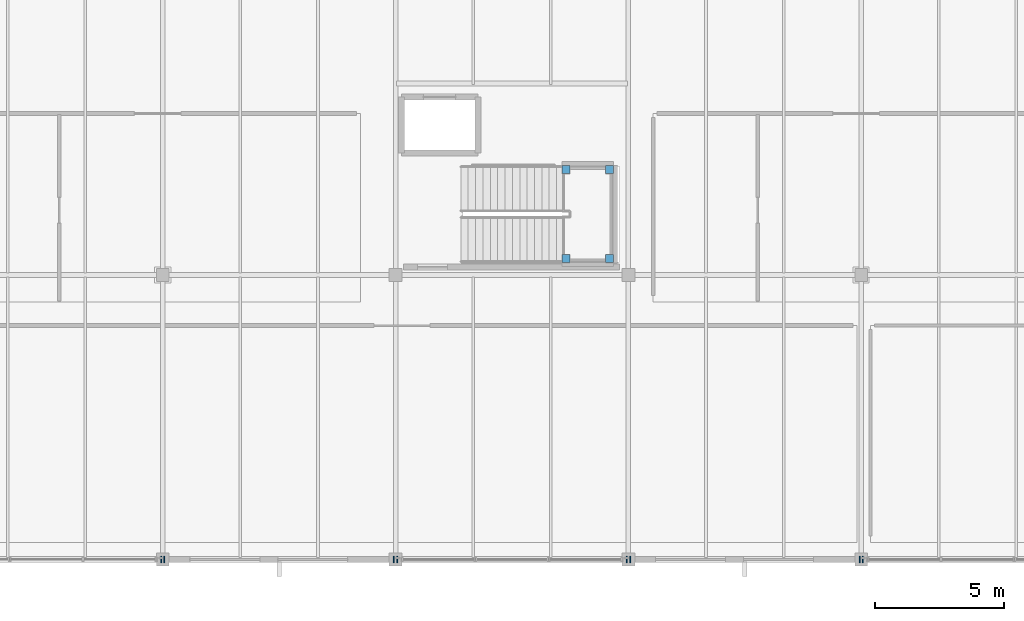
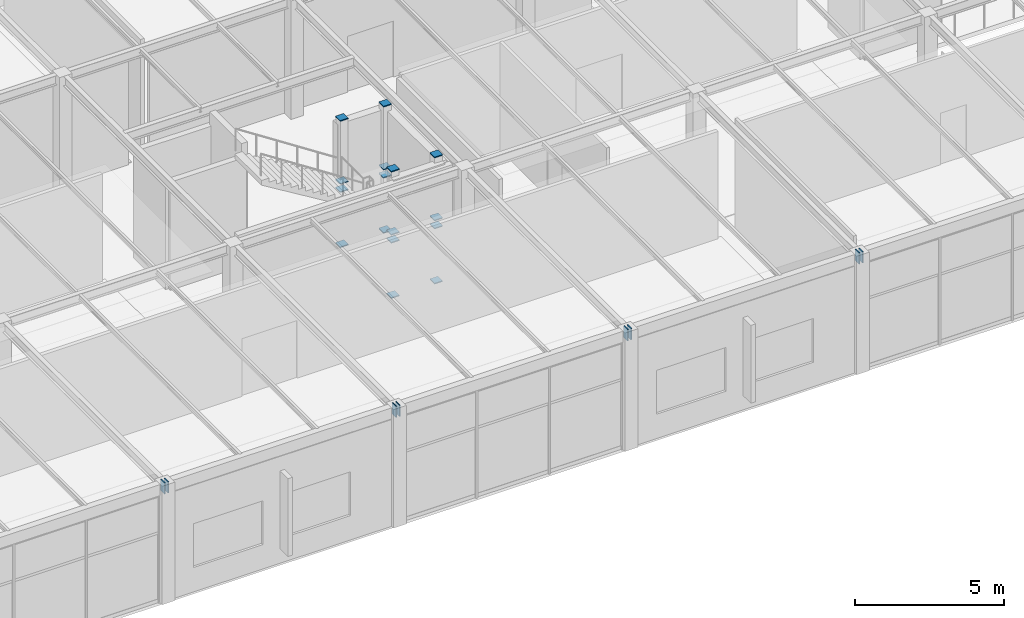
# One storey, part 144 of 195: 24 discrete accessories.
"""IFC4 building model written with IfcOpenShell, lengths in metres."""

import ifcopenshell
import ifcopenshell.guid

model = None  # the IFC model being written
_history = None  # IfcOwnerHistory: only IFC2X3 demands one
_inside = {}  # id of a spatial element -> (the spatial element, [elements in it])
_under = {}  # id of a project, library or spatial element -> (it, [spatial elements below it])
_declared = {}  # id of a project -> (the project, [libraries it declares])
_typed = {}  # id of a type object -> (the type object, [elements of that type])
_made_of = {}  # id of a material, layer set ... -> (it, [elements and type objects made of it])


def new_model(schema):
    """Start an empty IFC model of exactly this schema.

    Asked for "IFC4X3", IfcOpenShell would pick the latest addendum, in which some entities
    have other attributes; the version numbers below select the first issue.
    IFC2X3 requires an IfcOwnerHistory on every rooted entity: one is made here for all.
    """
    global model, _history
    if schema == "IFC4X3":
        model = ifcopenshell.file(schema_version=(4, 3, 0, 0))
    else:
        model = ifcopenshell.file(schema=schema)
    _inside.clear()
    _under.clear()
    _declared.clear()
    _typed.clear()
    _made_of.clear()
    _history = None
    if model.schema == "IFC2X3":
        org = make("IfcOrganization", Name="unknown")
        user = make(
            "IfcPersonAndOrganization",
            ThePerson=make("IfcPerson", FamilyName="unknown"),
            TheOrganization=org,
        )
        app = make(
            "IfcApplication",
            ApplicationDeveloper=org,
            Version="unknown",
            ApplicationFullName="unknown",
            ApplicationIdentifier="unknown",
        )
        _history = make(
            "IfcOwnerHistory",
            OwningUser=user,
            OwningApplication=app,
            ChangeAction="ADDED",
            CreationDate=0,
        )
    return model


def make(cls, **values):
    """One entity of the class cls with the attributes given. An attribute that is None is left unset."""
    return model.create_entity(
        cls, **{name: value for name, value in values.items() if value is not None}
    )


def rooted(cls, **values):
    """An entity with a GlobalId (a new one), such as an element, a storey or a relation."""
    return make(cls, GlobalId=ifcopenshell.guid.new(), OwnerHistory=_history, **values)


def si_unit(unit_type, name, prefix=None):
    """IfcSIUnit, for example si_unit("LENGTHUNIT", "METRE", prefix="MILLI")."""
    return make("IfcSIUnit", UnitType=unit_type, Prefix=prefix, Name=name)


def assignment(units):
    """IfcUnitAssignment: the units of a project."""
    return None if units is None else make("IfcUnitAssignment", Units=units)


def point(xyz):
    """IfcCartesianPoint."""
    return None if xyz is None else make("IfcCartesianPoint", Coordinates=xyz)


def direction(xyz):
    """IfcDirection."""
    return None if xyz is None else make("IfcDirection", DirectionRatios=xyz)


def frame(location, z_axis=None, x_axis=None):
    """IfcAxis2Placement3D, a coordinate frame: its origin and axes. An axis left out is left unset."""
    return make(
        "IfcAxis2Placement3D",
        Location=point(location),
        Axis=direction(z_axis),
        RefDirection=direction(x_axis),
    )


def frame_2d(location, x_axis=None):
    """IfcAxis2Placement2D, a coordinate frame in the plane: its origin and x axis."""
    return make(
        "IfcAxis2Placement2D", Location=point(location), RefDirection=direction(x_axis)
    )


def origin():
    """The frame at (0, 0, 0) with its axes left unset."""
    return frame((0.0, 0.0, 0.0))


def origin_2d():
    """The frame at (0, 0) in the plane with its x axis left unset."""
    return frame_2d((0.0, 0.0))


def place(relative_to, where):
    """IfcLocalPlacement: puts the frame where relative to a parent placement (None: the world)."""
    return make(
        "IfcLocalPlacement", PlacementRelTo=relative_to, RelativePlacement=where
    )


def context(
    kind, dimensions, precision=None, world=None, true_north=None, identifier=None
):
    """IfcGeometricRepresentationContext, for example the 3D "Model" context."""
    return make(
        "IfcGeometricRepresentationContext",
        ContextIdentifier=identifier,
        ContextType=kind,
        CoordinateSpaceDimension=dimensions,
        Precision=precision,
        WorldCoordinateSystem=world,
        TrueNorth=true_north,
    )


def subcontext(parent, identifier, kind, view, scale=None):
    """IfcGeometricRepresentationSubContext, for example "Body" below "Model"."""
    return make(
        "IfcGeometricRepresentationSubContext",
        ContextIdentifier=identifier,
        ContextType=kind,
        ParentContext=parent,
        TargetScale=scale,
        TargetView=view,
    )


def project(units=None, contexts=None):
    """IfcProject with its units and contexts."""
    return rooted(
        "IfcProject",
        Name="project",
        RepresentationContexts=contexts,
        UnitsInContext=assignment(units),
    )


def spatial(cls, under=None, at=None, **own):
    """A site, building, storey or space (cls), placed at a placement, below another one or the project."""
    s = rooted(cls, ObjectPlacement=at, **own)
    if under is not None:
        _under.setdefault(under.id(), (under, []))[1].append(s)
    return s


def profile(cls, at=None, kind="AREA", **sizes):
    """A parametric profile (cls). Its sizes go by their IFC names, for example OverallWidth=200.0."""
    return make(cls, ProfileType=kind, Position=at, **sizes)


def rectangle(**sizes):
    """IfcRectangleProfileDef."""
    return profile("IfcRectangleProfileDef", **sizes)


def extrude(swept, where, along, depth):
    """IfcExtrudedAreaSolid: the profile swept, set in the frame where, extruded along a direction by depth."""
    return make(
        "IfcExtrudedAreaSolid",
        SweptArea=swept,
        Position=where,
        ExtrudedDirection=direction(along),
        Depth=depth,
    )


def shape(context_of_items, identifier, shape_type, items):
    """IfcShapeRepresentation: the items that make up one representation, for example the "Body"."""
    return make(
        "IfcShapeRepresentation",
        ContextOfItems=context_of_items,
        RepresentationIdentifier=identifier,
        RepresentationType=shape_type,
        Items=items,
    )


def material(Name=None, Category=None):
    """IfcMaterial."""
    return make("IfcMaterial", Name=Name, Category=Category)


def made_of(thing, what):
    """Note that an element or type object is made of a material, layer set ...; save() writes the relation."""
    if what is not None:
        _made_of.setdefault(what.id(), (what, []))[1].append(thing)
    return thing


def element(
    cls,
    number,
    at=None,
    inside=None,
    cuts=None,
    type_object=None,
    material=None,
    context=None,
    identifier="Body",
    shape_type=None,
    held_by="IfcProductDefinitionShape",
    body=None,
    shapes=None,
    **own,
):
    """One element of the class cls, such as IfcWall. Its Tag is "e" and its number.

    at: its placement. inside: the storey or other place that contains it. cuts: it is an
    opening in that element (IfcRelVoidsElement). A single representation is given by context,
    identifier, shape_type and body (its items); several are given by shapes. held_by: the class
    of the entity that holds the representations. save() writes the other relations.
    """
    e = rooted(cls, Tag="e%d" % number, ObjectPlacement=at, **own)
    if body is not None:
        shapes = [shape(context, identifier, shape_type, body)]
    if shapes is not None:
        e.Representation = make(held_by, Representations=shapes)
    if inside is not None:
        _inside.setdefault(inside.id(), (inside, []))[1].append(e)
    if cuts is not None:
        rooted(
            "IfcRelVoidsElement", RelatingBuildingElement=cuts, RelatedOpeningElement=e
        )
    if type_object is not None:
        _typed.setdefault(type_object.id(), (type_object, []))[1].append(e)
    return made_of(e, material)


def aggregate(whole, parts):
    """IfcRelAggregates: a whole, such as a stair, and the parts it consists of."""
    return rooted("IfcRelAggregates", RelatingObject=whole, RelatedObjects=parts)


def save(model, path):
    """Write the relations noted so far, then the file.

    IfcRelAggregates (storeys below a building ...), IfcRelContainedInSpatialStructure (elements
    in a storey), IfcRelDefinesByType, IfcRelAssociatesMaterial and IfcRelDeclares: one each for
    every whole, place, type object, material and project.
    """
    for whole, parts in _under.values():
        aggregate(whole, parts)
    for where, things in _inside.values():
        rooted(
            "IfcRelContainedInSpatialStructure",
            RelatedElements=things,
            RelatingStructure=where,
        )
    for kind, things in _typed.values():
        rooted("IfcRelDefinesByType", RelatedObjects=things, RelatingType=kind)
    for what, things in _made_of.values():
        rooted("IfcRelAssociatesMaterial", RelatedObjects=things, RelatingMaterial=what)
    for by, libraries in _declared.values():
        rooted("IfcRelDeclares", RelatingContext=by, RelatedDefinitions=libraries)
    model.write(path)


model = new_model("IFC4")

# Units and contexts
model_context = context("Model", 3, precision=1e-05, world=origin(), true_north=direction((0.0, 1.0)))
body_context = subcontext(model_context, "Body", "Model", "MODEL_VIEW")
ifc_project = project(units=[si_unit("LENGTHUNIT", "METRE"), si_unit("AREAUNIT", "SQUARE_METRE"), si_unit("VOLUMEUNIT", "CUBIC_METRE"), si_unit("PLANEANGLEUNIT", "RADIAN"), si_unit("MASSUNIT", "GRAM", prefix="KILO")], contexts=[model_context])

# Site, building, storey
site_placement = place(None, origin())
site = spatial("IfcSite", under=ifc_project, at=site_placement, CompositionType="ELEMENT")
building_placement = place(site_placement, origin())
building = spatial("IfcBuilding", under=site, at=building_placement, Name="Marlcrest Central Station", CompositionType="ELEMENT")
storey_placement = place(building_placement, frame((0.0, 0.0, 9.800048828125)))
storey = spatial("IfcBuildingStorey", under=building, at=storey_placement, Name="L02", CompositionType="ELEMENT", Elevation=9.800048828125)

# Discrete accessories
ifc_material = material(Name="Steel S355", Category="steel")
for number, where, z_axis, x_axis, name in (
    (1, (161.9150390625, 0.0, 4.64501953125), (1.0, 0.0, 0.0), (0.0, 1.0, 0.0), "endcap-bm-SP-02-L02-00955-e"),
    (2, (162.045166015625, 0.0, 4.64501953125), (1.0, 0.0, 0.0), (0.0, 1.0, 0.0), "endcap-bm-SP-02-L02-00956-s"),
    (3, (170.9150390625, 0.0, 4.64501953125), (1.0, 0.0, 0.0), (0.0, 1.0, 0.0), "endcap-bm-SP-02-L02-00956-e"),
    (4, (171.045166015625, 0.0, 4.64501953125), (1.0, 0.0, 0.0), (0.0, 1.0, 0.0), "endcap-bm-SP-02-L02-00957-s"),
    (5, (179.9150390625, 0.0, 4.64501953125), (1.0, 0.0, 0.0), (0.0, 1.0, 0.0), "endcap-bm-SP-02-L02-00957-e"),
    (6, (180.045166015625, 0.0, 4.64501953125), (1.0, 0.0, 0.0), (0.0, 1.0, 0.0), "endcap-bm-SP-02-L02-00958-s"),
    (7, (188.9150390625, 0.0, 4.64501953125), (1.0, 0.0, 0.0), (0.0, 1.0, 0.0), "endcap-bm-SP-02-L02-00958-e"),
    (8, (189.045166015625, 0.0, 4.64501953125), (1.0, 0.0, 0.0), (0.0, 1.0, 0.0), "endcap-bm-SP-02-L02-00959-s"),
):
    element("IfcDiscreteAccessory", number, at=place(storey_placement, frame(where, z_axis=z_axis, x_axis=x_axis)), inside=storey, material=ifc_material, Name=name, ObjectType="END_CAP_PLATE", PredefinedType="BRACKET", context=body_context, shape_type="SweptSolid", body=[
        extrude(rectangle(XDim=0.26611328125, YDim=0.466064453125, at=origin_2d()), origin(), (0.0, 0.0, 1.0), 0.0400390625),
    ])
for number, where, z_axis, x_axis, name in (
    (9, (177.590087890625, 11.6298828125, -0.014892578125), (0.0, 0.0, 1.0), (1.0, 0.0, 0.0), "endcap-htcol-lo-0041-0-s"),
    (10, (177.590087890625, 11.6298828125, 2.255126953125), (0.0, 0.0, 1.0), (1.0, 0.0, 0.0), "endcap-htcol-lo-0041-0-e"),
    (11, (177.590087890625, 11.6298828125, 2.5849609375), (0.0, 0.0, 1.0), (1.0, 0.0, 0.0), "endcap-htcol-hi-0041-0-s"),
    (12, (177.590087890625, 11.6298828125, 5.175048828125), (0.0, 0.0, 1.0), (1.0, 0.0, 0.0), "endcap-htcol-hi-0041-0-e"),
    (13, (179.27001953125, 11.6298828125, -0.014892578125), (0.0, 0.0, 1.0), (1.0, 0.0, 0.0), "endcap-htcol-lo-0041-1-s"),
    (14, (179.27001953125, 11.6298828125, 2.255126953125), (0.0, 0.0, 1.0), (1.0, 0.0, 0.0), "endcap-htcol-lo-0041-1-e"),
    (15, (179.27001953125, 11.6298828125, 2.5849609375), (0.0, 0.0, 1.0), (1.0, 0.0, 0.0), "endcap-htcol-hi-0041-1-s"),
    (16, (179.27001953125, 11.6298828125, 5.175048828125), (0.0, 0.0, 1.0), (1.0, 0.0, 0.0), "endcap-htcol-hi-0041-1-e"),
    (17, (179.27001953125, 15.070068359375, -0.014892578125), (0.0, 0.0, 1.0), (1.0, 0.0, 0.0), "endcap-htcol-lo-0041-2-s"),
    (18, (179.27001953125, 15.070068359375, 2.255126953125), (0.0, 0.0, 1.0), (1.0, 0.0, 0.0), "endcap-htcol-lo-0041-2-e"),
    (19, (179.27001953125, 15.070068359375, 2.5849609375), (0.0, 0.0, 1.0), (1.0, 0.0, 0.0), "endcap-htcol-hi-0041-2-s"),
    (20, (179.27001953125, 15.070068359375, 5.175048828125), (0.0, 0.0, 1.0), (1.0, 0.0, 0.0), "endcap-htcol-hi-0041-2-e"),
    (21, (177.590087890625, 15.070068359375, -0.014892578125), (0.0, 0.0, 1.0), (1.0, 0.0, 0.0), "endcap-htcol-lo-0041-3-s"),
    (22, (177.590087890625, 15.070068359375, 2.255126953125), (0.0, 0.0, 1.0), (1.0, 0.0, 0.0), "endcap-htcol-lo-0041-3-e"),
    (23, (177.590087890625, 15.070068359375, 2.5849609375), (0.0, 0.0, 1.0), (1.0, 0.0, 0.0), "endcap-htcol-hi-0041-3-s"),
    (24, (177.590087890625, 15.070068359375, 5.175048828125), (0.0, 0.0, 1.0), (1.0, 0.0, 0.0), "endcap-htcol-hi-0041-3-e"),
):
    element("IfcDiscreteAccessory", number, at=place(storey_placement, frame(where, z_axis=z_axis, x_axis=x_axis)), inside=storey, material=ifc_material, Name=name, ObjectType="END_CAP_PLATE", PredefinedType="BRACKET", context=body_context, shape_type="SweptSolid", body=[
        extrude(rectangle(XDim=0.31591796875, YDim=0.31591796875, at=origin_2d()), origin(), (0.0, 0.0, 1.0), 0.0400390625),
    ])

save(model, "model.ifc")
